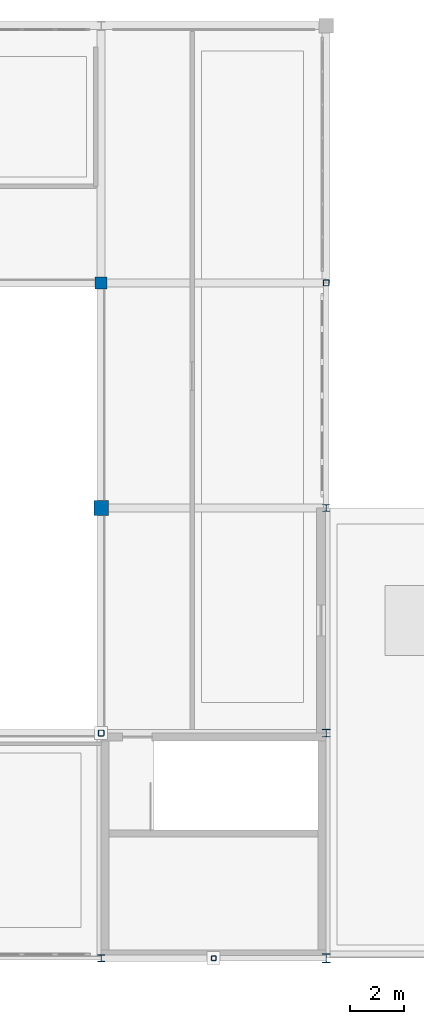
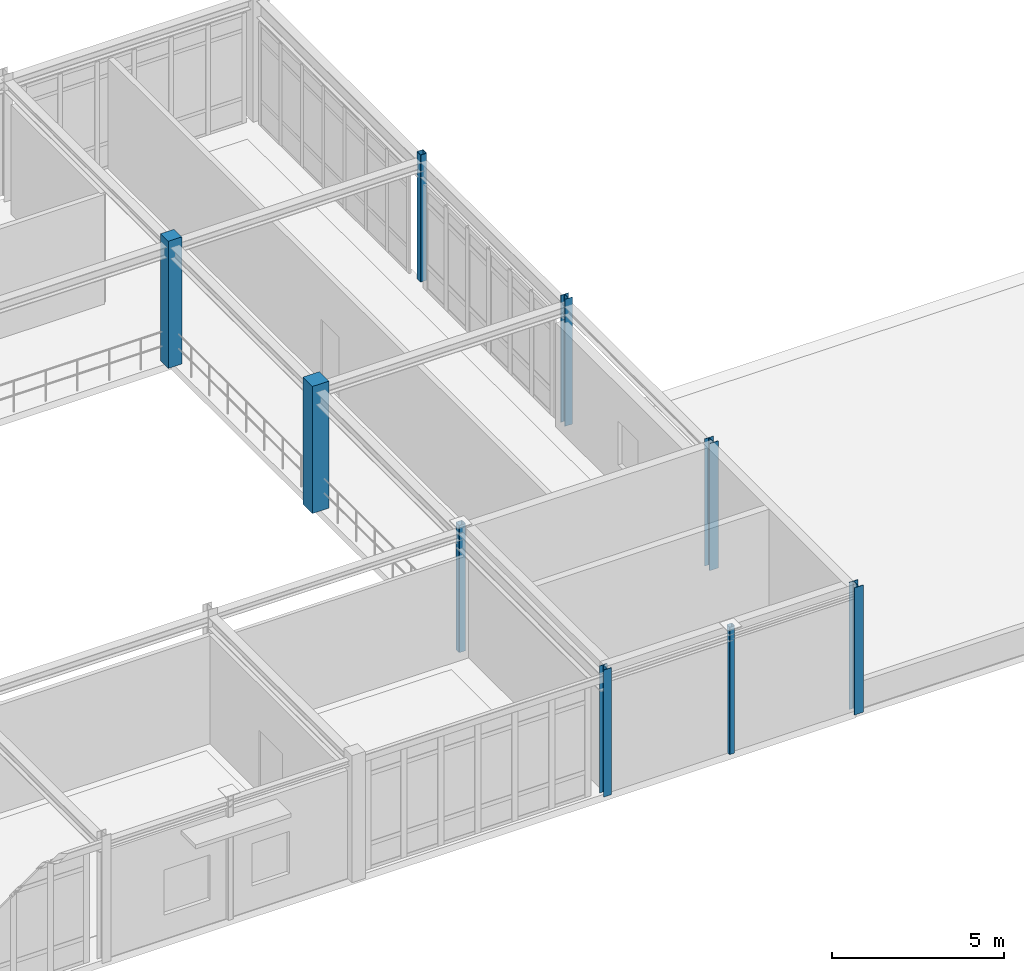
# One storey, part 23 of 106: 9 columns.
"""IFC4 building model written with IfcOpenShell, lengths in metres."""

from ifc_helpers import new_model, si_unit, derived_unit, direction, frame, origin, origin_2d, place, context, subcontext, project, spatial, rectangle, hollow_rectangle, i_section, extrude, material, material_profile, profile_set, type_object, element, save


model = new_model("IFC4")

# Units and contexts
model_context = context("Model", 3, precision=1e-05, world=origin(), true_north=direction((0.0, 1.0)))
body_context = subcontext(model_context, "Body", "Model", "MODEL_VIEW")
ifc_project = project(units=[si_unit("LENGTHUNIT", "METRE"), si_unit("AREAUNIT", "SQUARE_METRE"), si_unit("VOLUMEUNIT", "CUBIC_METRE"), si_unit("PLANEANGLEUNIT", "RADIAN"), si_unit("MASSUNIT", "GRAM", prefix="KILO"), derived_unit("THERMALTRANSMITTANCEUNIT", [(si_unit("POWERUNIT", "WATT"), 1), (si_unit("AREAUNIT", "SQUARE_METRE"), -1), (si_unit("THERMODYNAMICTEMPERATUREUNIT", "KELVIN"), -1)])], contexts=[model_context])

# Site, building, storey
site_placement = place(None, origin())
site = spatial("IfcSite", under=ifc_project, at=site_placement, CompositionType="ELEMENT")
building_placement = place(site_placement, origin())
building = spatial("IfcBuilding", under=site, at=building_placement, Name="Yasenodar Specialist Clinic", CompositionType="ELEMENT")
storey_placement = place(building_placement, frame((0.0, 0.0, 4.5)))
storey = spatial("IfcBuildingStorey", under=building, at=storey_placement, Name="L01", CompositionType="ELEMENT", Elevation=4.5)

# Columns
ifc_material_1 = material(Name="Concrete C35/45", Category="concrete")
ifc_material_profile_1 = material_profile(ifc_material_1, rectangle(XDim=0.449951171875, YDim=0.449951171875, at=origin_2d()), Name="RC 450x450")
ifc_profile_set_1 = profile_set([ifc_material_profile_1], Name="Concrete C35/45")
column_type_1 = type_object("IfcColumnType", Name="COL-RC-450", PredefinedType="COLUMN", material=ifc_profile_set_1)
column_1_placement = place(storey_placement, frame((130.199951171875, 25.199951171875, 0.0), z_axis=(0.0, 0.0, 1.0), x_axis=(1.0, 0.0, 0.0)))
element("IfcColumn", 1, at=column_1_placement, inside=storey, type_object=column_type_1, Name="L01 Column V3-149", PredefinedType="COLUMN", context=body_context, shape_type="SweptSolid", body=[
    extrude(rectangle(XDim=0.449951171875, YDim=0.449951171875, at=origin_2d()), origin(), (0.0, 0.0, 1.0), 4.5),
])
ifc_material_profile_2 = material_profile(ifc_material_1, rectangle(XDim=0.550048828125, YDim=0.550048828125, at=origin_2d()), Name="RC 550x550")
ifc_profile_set_2 = profile_set([ifc_material_profile_2], Name="Concrete C35/45")
column_type_2 = type_object("IfcColumnType", Name="COL-RC-550", PredefinedType="COLUMN", material=ifc_profile_set_2)
column_2_placement = place(storey_placement, frame((130.199951171875, 16.800048828125, 0.0), z_axis=(0.0, 0.0, 1.0), x_axis=(1.0, 0.0, 0.0)))
element("IfcColumn", 2, at=column_2_placement, inside=storey, type_object=column_type_2, Name="L01 Column V3-148", PredefinedType="COLUMN", context=body_context, shape_type="SweptSolid", body=[
    extrude(rectangle(XDim=0.550048828125, YDim=0.550048828125, at=origin_2d()), origin(), (0.0, 0.0, 1.0), 4.5),
])
ifc_material_2 = material(Name="Steel S355", Category="steel")
ifc_material_profile_3 = material_profile(ifc_material_2, i_section(OverallWidth=0.260009765625, OverallDepth=0.25, WebThickness=0.007568359375, FlangeThickness=0.012451171875, FilletRadius=0.02392578125, at=origin_2d()), Name="HEA 260")
ifc_profile_set_3 = profile_set([ifc_material_profile_3], Name="Steel S355")
column_type_3 = type_object("IfcColumnType", Name="COL-ST-HEA260", PredefinedType="COLUMN", material=ifc_profile_set_3)
for number, where, z_axis, x_axis, name in (
    (3, (130.199951171875, 0.0, 0.0), (0.0, 0.0, 1.0), (1.0, 0.0, 0.0), "L01 Column V3-146"),
    (4, (138.60009765625, 16.800048828125, 0.0), (0.0, 0.0, 1.0), (1.0, 0.0, 0.0), "L01 Column V3-158"),
):
    element("IfcColumn", number, at=place(storey_placement, frame(where, z_axis=z_axis, x_axis=x_axis)), inside=storey, type_object=column_type_3, Name=name, PredefinedType="COLUMN", context=body_context, shape_type="SweptSolid", body=[
        extrude(i_section(OverallWidth=0.260009765625, OverallDepth=0.25, WebThickness=0.007568359375, FlangeThickness=0.012451171875, FilletRadius=0.02392578125, at=origin_2d()), origin(), (0.0, 0.0, 1.0), 4.5),
    ])
ifc_material_profile_4 = material_profile(ifc_material_2, i_section(OverallWidth=0.300048828125, OverallDepth=0.2900390625, WebThickness=0.008544921875, FlangeThickness=0.013916015625, FilletRadius=0.027099609375, at=origin_2d()), Name="HEA 300")
ifc_profile_set_4 = profile_set([ifc_material_profile_4], Name="Steel S355")
column_type_4 = type_object("IfcColumnType", Name="COL-ST-HEA300", PredefinedType="COLUMN", material=ifc_profile_set_4)
column_3_placement = place(storey_placement, frame((138.60009765625, 8.39990234375, 0.0), z_axis=(0.0, 0.0, 1.0), x_axis=(1.0, 0.0, 0.0)))
element("IfcColumn", 5, at=column_3_placement, inside=storey, type_object=column_type_4, Name="L01 Column V3-157", PredefinedType="COLUMN", context=body_context, shape_type="SweptSolid", body=[
    extrude(i_section(OverallWidth=0.300048828125, OverallDepth=0.2900390625, WebThickness=0.008544921875, FlangeThickness=0.013916015625, FilletRadius=0.027099609375, at=origin_2d()), origin(), (0.0, 0.0, 1.0), 4.5),
])
ifc_material_profile_5 = material_profile(ifc_material_2, i_section(OverallWidth=0.300048828125, OverallDepth=0.330078125, WebThickness=0.009521484375, FlangeThickness=0.0166015625, FilletRadius=0.027099609375, at=origin_2d()), Name="HEA 340")
ifc_profile_set_5 = profile_set([ifc_material_profile_5], Name="Steel S355")
column_type_5 = type_object("IfcColumnType", Name="COL-ST-HEA340", PredefinedType="COLUMN", material=ifc_profile_set_5)
column_4_placement = place(storey_placement, frame((138.60009765625, 0.0, 0.0), z_axis=(0.0, 0.0, 1.0), x_axis=(1.0, 0.0, 0.0)))
element("IfcColumn", 6, at=column_4_placement, inside=storey, type_object=column_type_5, Name="L01 Column V3-156", PredefinedType="COLUMN", context=body_context, shape_type="SweptSolid", body=[
    extrude(i_section(OverallWidth=0.300048828125, OverallDepth=0.330078125, WebThickness=0.009521484375, FlangeThickness=0.0166015625, FilletRadius=0.027099609375, at=origin_2d()), origin(), (0.0, 0.0, 1.0), 4.5),
])
ifc_material_profile_6 = material_profile(ifc_material_2, hollow_rectangle(XDim=0.219970703125, YDim=0.219970703125, WallThickness=0.012451171875, InnerFilletRadius=0.018798828125, OuterFilletRadius=0.03125, at=origin_2d()), Name="SHS 220x220x12.5")
ifc_profile_set_6 = profile_set([ifc_material_profile_6], Name="Steel S355")
column_type_6 = type_object("IfcColumnType", Name="COL-ST-SHS220", PredefinedType="COLUMN", material=ifc_profile_set_6)
for number, where, z_axis, x_axis, name in (
    (7, (130.199951171875, 8.39990234375, 0.0), (0.0, 0.0, 1.0), (1.0, 0.0, 0.0), "L01 Column V3-147"),
    (8, (138.60009765625, 25.199951171875, 0.0), (0.0, 0.0, 1.0), (1.0, 0.0, 0.0), "L01 Column V3-159"),
):
    element("IfcColumn", number, at=place(storey_placement, frame(where, z_axis=z_axis, x_axis=x_axis)), inside=storey, type_object=column_type_6, Name=name, PredefinedType="COLUMN", context=body_context, shape_type="SweptSolid", body=[
        extrude(hollow_rectangle(XDim=0.219970703125, YDim=0.219970703125, WallThickness=0.012451171875, InnerFilletRadius=0.018798828125, OuterFilletRadius=0.03125, at=origin_2d()), origin(), (0.0, 0.0, 1.0), 4.5),
    ])
ifc_material_profile_7 = material_profile(ifc_material_2, hollow_rectangle(XDim=0.179931640625, YDim=0.179931640625, WallThickness=0.010009765625, InnerFilletRadius=0.014892578125, OuterFilletRadius=0.02490234375, at=origin_2d()), Name="SHS 180x180x10")
ifc_profile_set_7 = profile_set([ifc_material_profile_7], Name="Steel S355")
column_type_7 = type_object("IfcColumnType", Name="PIL-ST-SHS180", PredefinedType="PILASTER", material=ifc_profile_set_7)
column_5_placement = place(storey_placement, frame((134.39990234375, 0.0, 0.0), z_axis=(0.0, 0.0, 1.0), x_axis=(1.0, 0.0, 0.0)))
element("IfcColumn", 9, at=column_5_placement, inside=storey, type_object=column_type_7, Name="L01 Arcade Pilaster 06", PredefinedType="PILASTER", context=body_context, shape_type="SweptSolid", body=[
    extrude(hollow_rectangle(XDim=0.179931640625, YDim=0.179931640625, WallThickness=0.010009765625, InnerFilletRadius=0.014892578125, OuterFilletRadius=0.02490234375, at=origin_2d()), origin(), (0.0, 0.0, 1.0), 4.5),
])

save(model, "model.ifc")
